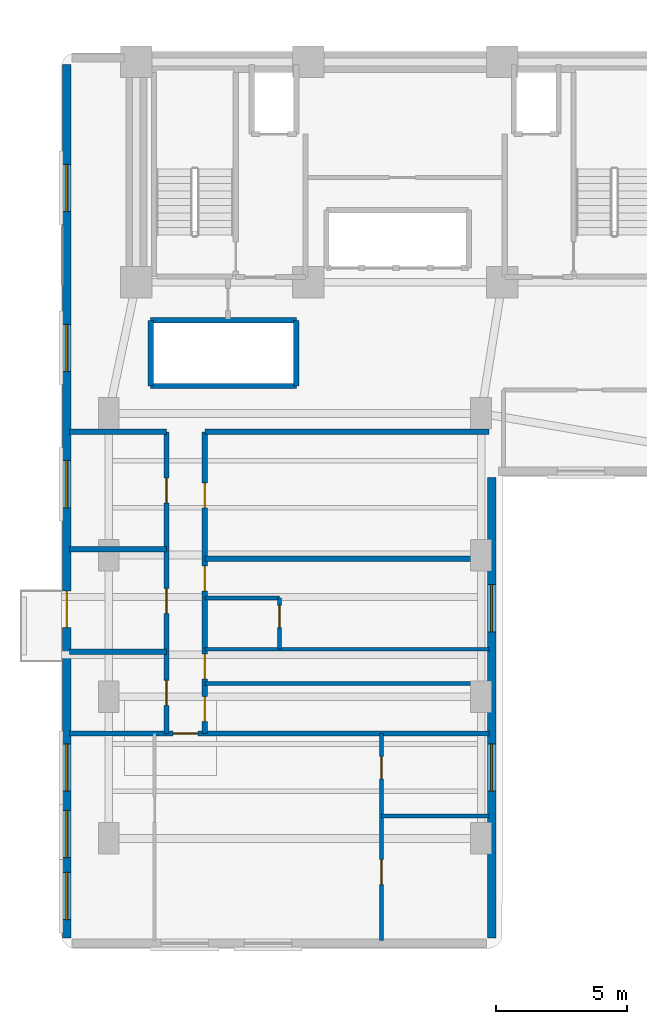
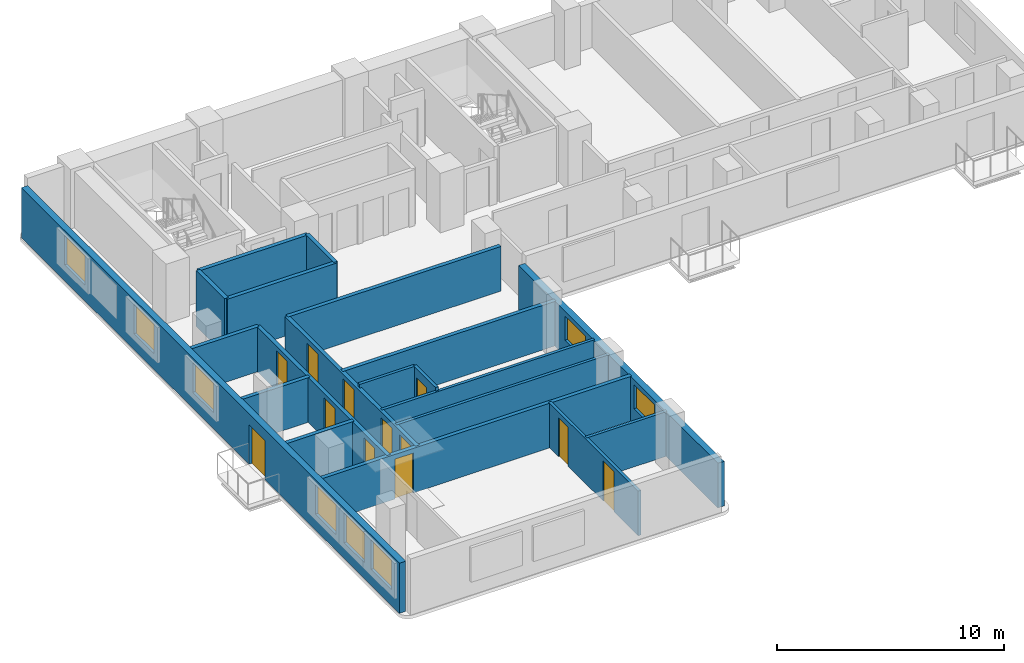
# One storey, part 3 of 11: 20 walls, 12 doors, 8 windows, 20 openings.
"""IFC4 building model written with IfcOpenShell, lengths in metres."""

from ifc_helpers import new_model, si_unit, direction, frame, frame_2d, origin, place, context, subcontext, project, spatial, rectangle, extrude, material, layer, layer_set, type_object, element, fill, save


model = new_model("IFC4")

# Units and contexts
model_context = context("Model", 3, precision=1e-05, world=origin(), true_north=direction((0.0, 1.0)))
body_context = subcontext(model_context, "Body", "Model", "MODEL_VIEW")
ifc_project = project(units=[si_unit("LENGTHUNIT", "METRE"), si_unit("AREAUNIT", "SQUARE_METRE"), si_unit("VOLUMEUNIT", "CUBIC_METRE"), si_unit("PLANEANGLEUNIT", "RADIAN"), si_unit("MASSUNIT", "GRAM", prefix="KILO")], contexts=[model_context])

# Site, building, storey
site_placement = place(None, origin())
site = spatial("IfcSite", under=ifc_project, at=site_placement, CompositionType="ELEMENT")
building_placement = place(site_placement, origin())
building = spatial("IfcBuilding", under=site, at=building_placement, Name="Kuzgunbayir Cultural Tower", CompositionType="ELEMENT")
storey_placement = place(building_placement, frame((0.0, 0.0, 86.60009765625)))
storey = spatial("IfcBuildingStorey", under=building, at=storey_placement, Name="L24", CompositionType="ELEMENT", Elevation=86.60009765625)

# Wall, openings, door, windows
ifc_material_1 = material(Name="Travertine Buff Ashlar", Category="masonry")
ifc_layer_1 = layer(ifc_material_1, 0.320068359375)
ifc_layer_set_1 = layer_set([ifc_layer_1], Name="Travertine Buff Ashlar")
wall_type_1 = type_object("IfcWallType", Name="WAL-EXT-STONE-320", PredefinedType="STANDARD", material=ifc_layer_set_1)
wall_1_placement = place(storey_placement, frame((3.800048828125, 42.10009765625, 0.0), z_axis=(0.0, 0.0, 1.0), x_axis=(0.0, -1.0, 0.0)))
wall_1 = element("IfcWall", 1, at=wall_1_placement, inside=storey, type_object=wall_type_1, Name="L24 Wing A West Limestone Wall", PredefinedType="STANDARD", context=body_context, shape_type="SweptSolid", body=[
    extrude(rectangle(XDim=33.300048828125, YDim=0.320068359375, at=frame_2d((16.64990234375, 0.0))), origin(), (0.0, 0.0, 1.0), 2.699951171875),
])
opening_1_placement = place(wall_1_placement, frame((20.070068359375, 0.0, 0.0)))
opening_1 = element("IfcOpeningElement", 2, at=opening_1_placement, cuts=wall_1, Name="Opening BD-15", PredefinedType="OPENING", context=body_context, shape_type="SweptSolid", body=[
    extrude(rectangle(XDim=1.39990234375, YDim=2.10009765625, at=frame_2d((0.699951171875, 1.050048828125))), frame((0.0, 0.169921875, 0.0), z_axis=(0.0, -1.0, 0.0), x_axis=(1.0, 0.0, 0.0)), (0.0, 0.0, 1.0), 0.340087890625),
])
opening_2_placement = place(wall_1_placement, frame((28.429931640625, 0.0, 0.85009765625)))
opening_2 = element("IfcOpeningElement", 3, at=opening_2_placement, cuts=wall_1, Name="Opening WH-18", PredefinedType="OPENING", context=body_context, shape_type="SweptSolid", body=[
    extrude(rectangle(XDim=1.800048828125, YDim=1.60009765625, at=frame_2d((0.89990234375, 0.800048828125))), frame((0.0, 0.169921875, 0.0), z_axis=(0.0, -1.0, 0.0), x_axis=(1.0, 0.0, 0.0)), (0.0, 0.0, 1.0), 0.340087890625),
])
opening_3_placement = place(wall_1_placement, frame((30.800048828125, 0.0, 0.85009765625)))
opening_3 = element("IfcOpeningElement", 4, at=opening_3_placement, cuts=wall_1, Name="Opening WH-18", PredefinedType="OPENING", context=body_context, shape_type="SweptSolid", body=[
    extrude(rectangle(XDim=1.800048828125, YDim=1.60009765625, at=frame_2d((0.89990234375, 0.800048828125))), frame((0.0, 0.169921875, 0.0), z_axis=(0.0, -1.0, 0.0), x_axis=(1.0, 0.0, 0.0)), (0.0, 0.0, 1.0), 0.340087890625),
])
opening_4_placement = place(wall_1_placement, frame((25.89990234375, 0.0, 0.85009765625)))
opening_4 = element("IfcOpeningElement", 5, at=opening_4_placement, cuts=wall_1, Name="Opening WH-18", PredefinedType="OPENING", context=body_context, shape_type="SweptSolid", body=[
    extrude(rectangle(XDim=1.800048828125, YDim=1.60009765625, at=frame_2d((0.89990234375, 0.800048828125))), frame((0.0, 0.169921875, 0.0), z_axis=(0.0, -1.0, 0.0), x_axis=(1.0, 0.0, 0.0)), (0.0, 0.0, 1.0), 0.340087890625),
])
opening_5_placement = place(wall_1_placement, frame((15.10009765625, 0.0, 0.85009765625)))
opening_5 = element("IfcOpeningElement", 6, at=opening_5_placement, cuts=wall_1, Name="Opening WH-18", PredefinedType="OPENING", context=body_context, shape_type="SweptSolid", body=[
    extrude(rectangle(XDim=1.800048828125, YDim=1.60009765625, at=frame_2d((0.89990234375, 0.800048828125))), frame((0.0, 0.169921875, 0.0), z_axis=(0.0, -1.0, 0.0), x_axis=(1.0, 0.0, 0.0)), (0.0, 0.0, 1.0), 0.340087890625),
])
opening_6_placement = place(wall_1_placement, frame((9.89990234375, 0.0, 0.85009765625)))
opening_6 = element("IfcOpeningElement", 7, at=opening_6_placement, cuts=wall_1, Name="Opening WH-18", PredefinedType="OPENING", context=body_context, shape_type="SweptSolid", body=[
    extrude(rectangle(XDim=1.800048828125, YDim=1.60009765625, at=frame_2d((0.89990234375, 0.800048828125))), frame((0.0, 0.169921875, 0.0), z_axis=(0.0, -1.0, 0.0), x_axis=(1.0, 0.0, 0.0)), (0.0, 0.0, 1.0), 0.340087890625),
])
opening_7_placement = place(wall_1_placement, frame((3.800048828125, 0.0, 0.85009765625)))
opening_7 = element("IfcOpeningElement", 8, at=opening_7_placement, cuts=wall_1, Name="Opening WH-18", PredefinedType="OPENING", context=body_context, shape_type="SweptSolid", body=[
    extrude(rectangle(XDim=1.800048828125, YDim=1.60009765625, at=frame_2d((0.89990234375, 0.800048828125))), frame((0.0, 0.169921875, 0.0), z_axis=(0.0, -1.0, 0.0), x_axis=(1.0, 0.0, 0.0)), (0.0, 0.0, 1.0), 0.340087890625),
])
ifc_material_2 = material(Name="Thermally Broken Glazed Aluminium", Category="aluminium")
door_type_1 = type_object("IfcDoorType", Name="DR-BALCONY-150", OperationType="SLIDING_TO_RIGHT", PredefinedType="DOOR", material=ifc_material_2)
door_1_placement = place(opening_1_placement, origin())
door_1 = element("IfcDoor", 9, at=door_1_placement, inside=storey, type_object=door_type_1, Name="L24 West Balcony Sliding Door BAL-L24-WA2", OperationType="SLIDING_TO_RIGHT", OverallHeight=2.10009765625, OverallWidth=1.39990234375, PredefinedType="DOOR", context=body_context, shape_type="SweptSolid", body=[
    extrude(rectangle(XDim=1.39990234375, YDim=2.10009765625, at=frame_2d((0.699951171875, 1.050048828125))), frame((0.0, 0.02490234375, 0.0), z_axis=(0.0, -1.0, 0.0), x_axis=(1.0, 0.0, 0.0)), (0.0, 0.0, 1.0), 0.050048828125),
])
fill(opening_1, door_1)
ifc_material_3 = material(Name="Solar-Control Triple Glazing", Category="glass")
window_type = type_object("IfcWindowType", Name="WIN-HOTEL-18", PartitioningType="SINGLE_PANEL", PredefinedType="WINDOW", material=ifc_material_3)
window_1_placement = place(opening_2_placement, origin())
window_1 = element("IfcWindow", 10, at=window_1_placement, inside=storey, type_object=window_type, Name="L24 WAW Facade Window 1", OverallHeight=1.60009765625, OverallWidth=1.800048828125, PartitioningType="SINGLE_PANEL", PredefinedType="WINDOW", context=body_context, shape_type="SweptSolid", body=[
    extrude(rectangle(XDim=1.800048828125, YDim=1.60009765625, at=frame_2d((0.89990234375, 0.800048828125))), frame((0.0, 0.030029296875, 0.0), z_axis=(0.0, -1.0, 0.0), x_axis=(1.0, 0.0, 0.0)), (0.0, 0.0, 1.0), 0.06005859375),
])
fill(opening_2, window_1)
window_2_placement = place(opening_3_placement, origin())
window_2 = element("IfcWindow", 11, at=window_2_placement, inside=storey, type_object=window_type, Name="L24 WAW Facade Window 6", OverallHeight=1.60009765625, OverallWidth=1.800048828125, PartitioningType="SINGLE_PANEL", PredefinedType="WINDOW", context=body_context, shape_type="SweptSolid", body=[
    extrude(rectangle(XDim=1.800048828125, YDim=1.60009765625, at=frame_2d((0.89990234375, 0.800048828125))), frame((0.0, 0.030029296875, 0.0), z_axis=(0.0, -1.0, 0.0), x_axis=(1.0, 0.0, 0.0)), (0.0, 0.0, 1.0), 0.06005859375),
])
fill(opening_3, window_2)
window_3_placement = place(opening_4_placement, origin())
window_3 = element("IfcWindow", 12, at=window_3_placement, inside=storey, type_object=window_type, Name="L24 WAW Facade Window 7", OverallHeight=1.60009765625, OverallWidth=1.800048828125, PartitioningType="SINGLE_PANEL", PredefinedType="WINDOW", context=body_context, shape_type="SweptSolid", body=[
    extrude(rectangle(XDim=1.800048828125, YDim=1.60009765625, at=frame_2d((0.89990234375, 0.800048828125))), frame((0.0, 0.030029296875, 0.0), z_axis=(0.0, -1.0, 0.0), x_axis=(1.0, 0.0, 0.0)), (0.0, 0.0, 1.0), 0.06005859375),
])
fill(opening_4, window_3)
window_4_placement = place(opening_5_placement, origin())
window_4 = element("IfcWindow", 13, at=window_4_placement, inside=storey, type_object=window_type, Name="L24 WAW Facade Window 8", OverallHeight=1.60009765625, OverallWidth=1.800048828125, PartitioningType="SINGLE_PANEL", PredefinedType="WINDOW", context=body_context, shape_type="SweptSolid", body=[
    extrude(rectangle(XDim=1.800048828125, YDim=1.60009765625, at=frame_2d((0.89990234375, 0.800048828125))), frame((0.0, 0.030029296875, 0.0), z_axis=(0.0, -1.0, 0.0), x_axis=(1.0, 0.0, 0.0)), (0.0, 0.0, 1.0), 0.06005859375),
])
fill(opening_5, window_4)
window_5_placement = place(opening_6_placement, origin())
window_5 = element("IfcWindow", 14, at=window_5_placement, inside=storey, type_object=window_type, Name="L24 WAW Facade Window 9", OverallHeight=1.60009765625, OverallWidth=1.800048828125, PartitioningType="SINGLE_PANEL", PredefinedType="WINDOW", context=body_context, shape_type="SweptSolid", body=[
    extrude(rectangle(XDim=1.800048828125, YDim=1.60009765625, at=frame_2d((0.89990234375, 0.800048828125))), frame((0.0, 0.030029296875, 0.0), z_axis=(0.0, -1.0, 0.0), x_axis=(1.0, 0.0, 0.0)), (0.0, 0.0, 1.0), 0.06005859375),
])
fill(opening_6, window_5)
window_6_placement = place(opening_7_placement, origin())
window_6 = element("IfcWindow", 15, at=window_6_placement, inside=storey, type_object=window_type, Name="L24 WAW Facade Window 10", OverallHeight=1.60009765625, OverallWidth=1.800048828125, PartitioningType="SINGLE_PANEL", PredefinedType="WINDOW", context=body_context, shape_type="SweptSolid", body=[
    extrude(rectangle(XDim=1.800048828125, YDim=1.60009765625, at=frame_2d((0.89990234375, 0.800048828125))), frame((0.0, 0.030029296875, 0.0), z_axis=(0.0, -1.0, 0.0), x_axis=(1.0, 0.0, 0.0)), (0.0, 0.0, 1.0), 0.06005859375),
])
fill(opening_7, window_6)

# Wall, openings, windows
wall_2_placement = place(storey_placement, frame((20.0, 8.800048828125, 0.0), z_axis=(0.0, 0.0, 1.0), x_axis=(0.0, 1.0, 0.0)))
wall_2 = element("IfcWall", 16, at=wall_2_placement, inside=storey, type_object=wall_type_1, Name="L24 Wing A East Limestone Wall", PredefinedType="STANDARD", context=body_context, shape_type="SweptSolid", body=[
    extrude(rectangle(XDim=17.550048828125, YDim=0.320068359375, at=frame_2d((8.77490234375, 0.0))), origin(), (0.0, 0.0, 1.0), 2.39990234375),
])
opening_8_placement = place(wall_2_placement, frame((11.669921875, 0.0, 0.85009765625)))
opening_8 = element("IfcOpeningElement", 17, at=opening_8_placement, cuts=wall_2, Name="Opening WH-18", PredefinedType="OPENING", context=body_context, shape_type="SweptSolid", body=[
    extrude(rectangle(XDim=1.800048828125, YDim=1.300048828125, at=frame_2d((0.89990234375, 0.64990234375))), frame((0.0, 0.169921875, 0.0), z_axis=(0.0, -1.0, 0.0), x_axis=(1.0, 0.0, 0.0)), (0.0, 0.0, 1.0), 0.340087890625),
])
opening_9_placement = place(wall_2_placement, frame((5.60009765625, 0.0, 0.85009765625)))
opening_9 = element("IfcOpeningElement", 18, at=opening_9_placement, cuts=wall_2, Name="Opening WH-18", PredefinedType="OPENING", context=body_context, shape_type="SweptSolid", body=[
    extrude(rectangle(XDim=1.800048828125, YDim=1.300048828125, at=frame_2d((0.89990234375, 0.64990234375))), frame((0.0, 0.169921875, 0.0), z_axis=(0.0, -1.0, 0.0), x_axis=(1.0, 0.0, 0.0)), (0.0, 0.0, 1.0), 0.340087890625),
])
window_7_placement = place(opening_8_placement, origin())
window_7 = element("IfcWindow", 19, at=window_7_placement, inside=storey, type_object=window_type, Name="L24 WAE Facade Window 3", OverallHeight=1.300048828125, OverallWidth=1.800048828125, PartitioningType="SINGLE_PANEL", PredefinedType="WINDOW", context=body_context, shape_type="SweptSolid", body=[
    extrude(rectangle(XDim=1.800048828125, YDim=1.300048828125, at=frame_2d((0.89990234375, 0.64990234375))), frame((0.0, 0.030029296875, 0.0), z_axis=(0.0, -1.0, 0.0), x_axis=(1.0, 0.0, 0.0)), (0.0, 0.0, 1.0), 0.06005859375),
])
fill(opening_8, window_7)
window_8_placement = place(opening_9_placement, origin())
window_8 = element("IfcWindow", 20, at=window_8_placement, inside=storey, type_object=window_type, Name="L24 WAE Facade Window 11", OverallHeight=1.300048828125, OverallWidth=1.800048828125, PartitioningType="SINGLE_PANEL", PredefinedType="WINDOW", context=body_context, shape_type="SweptSolid", body=[
    extrude(rectangle(XDim=1.800048828125, YDim=1.300048828125, at=frame_2d((0.89990234375, 0.64990234375))), frame((0.0, 0.030029296875, 0.0), z_axis=(0.0, -1.0, 0.0), x_axis=(1.0, 0.0, 0.0)), (0.0, 0.0, 1.0), 0.06005859375),
])
fill(opening_9, window_8)

# Wall
ifc_material_4 = material(Name="Acoustic Double-Stud Drywall", Category="gypsum")
ifc_layer_2 = layer(ifc_material_4, 0.14990234375)
ifc_layer_set_2 = layer_set([ifc_layer_2], Name="Acoustic Double-Stud Drywall")
wall_type_2 = type_object("IfcWallType", Name="WAL-PART-ACOUSTIC-150", PredefinedType="PARTITIONING", material=ifc_layer_set_2)
wall_3_placement = place(storey_placement, frame((9.06005859375, 18.5, 0.0), z_axis=(0.0, 0.0, 1.0), x_axis=(1.0, 0.0, 0.0)))
element("IfcWall", 21, at=wall_3_placement, inside=storey, type_object=wall_type_2, Name="L24 Housekeeping North Wall", PredefinedType="PARTITIONING", context=body_context, shape_type="SweptSolid", body=[
    extrude(rectangle(XDim=10.83984375, YDim=0.14990234375, at=frame_2d((5.419921875, 0.0))), origin(), (0.0, 0.0, 1.0), 2.39990234375),
])

# Wall, openings, doors
ifc_material_5 = material(Name="Aerated Concrete Blockwork", Category="masonry")
ifc_layer_3 = layer(ifc_material_5, 0.199951171875)
ifc_layer_set_3 = layer_set([ifc_layer_3], Name="Aerated Concrete Blockwork")
wall_type_3 = type_object("IfcWallType", Name="WAL-PART-FIRE-200", PredefinedType="PARTITIONING", material=ifc_layer_set_3)
wall_4_placement = place(storey_placement, frame((7.60009765625, 16.60009765625, 0.0), z_axis=(0.0, 0.0, 1.0), x_axis=(0.0, 1.0, 0.0)))
wall_4 = element("IfcWall", 22, at=wall_4_placement, inside=storey, type_object=wall_type_3, Name="L24 Wing A West Corridor Wall", PredefinedType="PARTITIONING", context=body_context, shape_type="SweptSolid", body=[
    extrude(rectangle(XDim=11.5, YDim=0.199951171875, at=frame_2d((5.75, 0.0))), origin(), (0.0, 0.0, 1.0), 2.39990234375),
])
opening_10_placement = place(wall_4_placement, frame((1.070068359375, 0.0, 0.0)))
opening_10 = element("IfcOpeningElement", 23, at=opening_10_placement, cuts=wall_4, Name="Opening DI-90", PredefinedType="OPENING", context=body_context, shape_type="SweptSolid", body=[
    extrude(rectangle(XDim=0.949951171875, YDim=2.14990234375, at=frame_2d((0.47509765625, 1.074951171875))), frame((0.0, 0.10986328125, 0.0), z_axis=(0.0, -1.0, 0.0), x_axis=(1.0, 0.0, 0.0)), (0.0, 0.0, 1.0), 0.219970703125),
])
opening_11_placement = place(wall_4_placement, frame((4.580078125, 0.0, 0.0)))
opening_11 = element("IfcOpeningElement", 24, at=opening_11_placement, cuts=wall_4, Name="Opening DI-90", PredefinedType="OPENING", context=body_context, shape_type="SweptSolid", body=[
    extrude(rectangle(XDim=0.949951171875, YDim=2.14990234375, at=frame_2d((0.47509765625, 1.074951171875))), frame((0.0, 0.10986328125, 0.0), z_axis=(0.0, -1.0, 0.0), x_axis=(1.0, 0.0, 0.0)), (0.0, 0.0, 1.0), 0.219970703125),
])
opening_12_placement = place(wall_4_placement, frame((8.780029296875, 0.0, 0.0)))
opening_12 = element("IfcOpeningElement", 25, at=opening_12_placement, cuts=wall_4, Name="Opening DI-90", PredefinedType="OPENING", context=body_context, shape_type="SweptSolid", body=[
    extrude(rectangle(XDim=0.949951171875, YDim=2.14990234375, at=frame_2d((0.47509765625, 1.074951171875))), frame((0.0, 0.10986328125, 0.0), z_axis=(0.0, -1.0, 0.0), x_axis=(1.0, 0.0, 0.0)), (0.0, 0.0, 1.0), 0.219970703125),
])
ifc_material_6 = material(Name="Veneered Oak Single Leaf", Category="wood")
door_type_2 = type_object("IfcDoorType", Name="DR-INT-90", OperationType="NOTDEFINED", PredefinedType="DOOR", material=ifc_material_6)
door_2_placement = place(opening_10_placement, origin())
door_2 = element("IfcDoor", 26, at=door_2_placement, inside=storey, type_object=door_type_2, Name="L24 Curatorial Office 1 Door", OperationType="SINGLE_SWING_RIGHT", OverallHeight=2.14990234375, OverallWidth=0.949951171875, PredefinedType="DOOR", context=body_context, shape_type="SweptSolid", body=[
    extrude(rectangle(XDim=0.949951171875, YDim=2.14990234375, at=frame_2d((0.47509765625, 1.074951171875))), frame((0.0, 0.02490234375, 0.0), z_axis=(0.0, -1.0, 0.0), x_axis=(1.0, 0.0, 0.0)), (0.0, 0.0, 1.0), 0.050048828125),
])
fill(opening_10, door_2)
door_3_placement = place(opening_11_placement, origin())
door_3 = element("IfcDoor", 27, at=door_3_placement, inside=storey, type_object=door_type_2, Name="L24 Curatorial Office 2 Door", OperationType="SINGLE_SWING_LEFT", OverallHeight=2.14990234375, OverallWidth=0.949951171875, PredefinedType="DOOR", context=body_context, shape_type="SweptSolid", body=[
    extrude(rectangle(XDim=0.949951171875, YDim=2.14990234375, at=frame_2d((0.47509765625, 1.074951171875))), frame((0.0, 0.02490234375, 0.0), z_axis=(0.0, -1.0, 0.0), x_axis=(1.0, 0.0, 0.0)), (0.0, 0.0, 1.0), 0.050048828125),
])
fill(opening_11, door_3)
door_4_placement = place(opening_12_placement, origin())
door_4 = element("IfcDoor", 28, at=door_4_placement, inside=storey, type_object=door_type_2, Name="L24 Curatorial Office 3 Door", OperationType="SINGLE_SWING_RIGHT", OverallHeight=2.14990234375, OverallWidth=0.949951171875, PredefinedType="DOOR", context=body_context, shape_type="SweptSolid", body=[
    extrude(rectangle(XDim=0.949951171875, YDim=2.14990234375, at=frame_2d((0.47509765625, 1.074951171875))), frame((0.0, 0.02490234375, 0.0), z_axis=(0.0, -1.0, 0.0), x_axis=(1.0, 0.0, 0.0)), (0.0, 0.0, 1.0), 0.050048828125),
])
fill(opening_12, door_4)

wall_5_placement = place(storey_placement, frame((9.06005859375, 16.60009765625, 0.0), z_axis=(0.0, 0.0, 1.0), x_axis=(0.0, 1.0, 0.0)))
wall_5 = element("IfcWall", 29, at=wall_5_placement, inside=storey, type_object=wall_type_3, Name="L24 Wing A East Corridor Wall", PredefinedType="PARTITIONING", context=body_context, shape_type="SweptSolid", body=[
    extrude(rectangle(XDim=11.5, YDim=0.199951171875, at=frame_2d((5.75, 0.0))), origin(), (0.0, 0.0, 1.0), 2.39990234375),
])
opening_13_placement = place(wall_5_placement, frame((0.449951171875, 0.0, 0.0)))
opening_13 = element("IfcOpeningElement", 30, at=opening_13_placement, cuts=wall_5, Name="Opening DI-90", PredefinedType="OPENING", context=body_context, shape_type="SweptSolid", body=[
    extrude(rectangle(XDim=0.949951171875, YDim=2.14990234375, at=frame_2d((0.47509765625, 1.074951171875))), frame((0.0, 0.10986328125, 0.0), z_axis=(0.0, -1.0, 0.0), x_axis=(1.0, 0.0, 0.0)), (0.0, 0.0, 1.0), 0.219970703125),
])
opening_14_placement = place(wall_5_placement, frame((2.080078125, 0.0, 0.0)))
opening_14 = element("IfcOpeningElement", 31, at=opening_14_placement, cuts=wall_5, Name="Opening DW-95", PredefinedType="OPENING", context=body_context, shape_type="SweptSolid", body=[
    extrude(rectangle(XDim=0.949951171875, YDim=2.10009765625, at=frame_2d((0.47509765625, 1.050048828125))), frame((0.0, 0.10986328125, 0.0), z_axis=(0.0, -1.0, 0.0), x_axis=(1.0, 0.0, 0.0)), (0.0, 0.0, 1.0), 0.219970703125),
])
opening_15_placement = place(wall_5_placement, frame((8.60009765625, 0.0, 0.0)))
opening_15 = element("IfcOpeningElement", 32, at=opening_15_placement, cuts=wall_5, Name="Opening DI-90", PredefinedType="OPENING", context=body_context, shape_type="SweptSolid", body=[
    extrude(rectangle(XDim=0.949951171875, YDim=2.14990234375, at=frame_2d((0.47509765625, 1.074951171875))), frame((0.0, 0.10986328125, 0.0), z_axis=(0.0, -1.0, 0.0), x_axis=(1.0, 0.0, 0.0)), (0.0, 0.0, 1.0), 0.219970703125),
])
opening_16_placement = place(wall_5_placement, frame((5.429931640625, 0.0, 0.0)))
opening_16 = element("IfcOpeningElement", 33, at=opening_16_placement, cuts=wall_5, Name="Opening DR-APT-60", PredefinedType="OPENING", context=body_context, shape_type="SweptSolid", body=[
    extrude(rectangle(XDim=0.949951171875, YDim=2.14990234375, at=frame_2d((0.47509765625, 1.074951171875))), frame((0.0, 0.10986328125, 0.0), z_axis=(0.0, -1.0, 0.0), x_axis=(1.0, 0.0, 0.0)), (0.0, 0.0, 1.0), 0.219970703125),
])
ifc_material_7 = material(Name="Acoustic Fire Timber Leaf", Category="wood")
door_type_3 = type_object("IfcDoorType", Name="DR-APT-60", OperationType="NOTDEFINED", PredefinedType="DOOR", material=ifc_material_7)
door_5_placement = place(opening_16_placement, origin())
door_5 = element("IfcDoor", 34, at=door_5_placement, inside=storey, type_object=door_type_3, Name="L24 Guest Suite E1 Entrance", OperationType="SINGLE_SWING_LEFT", OverallHeight=2.14990234375, OverallWidth=0.949951171875, PredefinedType="DOOR", context=body_context, shape_type="SweptSolid", body=[
    extrude(rectangle(XDim=0.949951171875, YDim=2.14990234375, at=frame_2d((0.47509765625, 1.074951171875))), frame((0.0, 0.02490234375, 0.0), z_axis=(0.0, -1.0, 0.0), x_axis=(1.0, 0.0, 0.0)), (0.0, 0.0, 1.0), 0.050048828125),
])
fill(opening_16, door_5)
door_6_placement = place(opening_13_placement, origin())
door_6 = element("IfcDoor", 35, at=door_6_placement, inside=storey, type_object=door_type_2, Name="L24 Housekeeping Room Door", OperationType="SINGLE_SWING_LEFT", OverallHeight=2.14990234375, OverallWidth=0.949951171875, PredefinedType="DOOR", context=body_context, shape_type="SweptSolid", body=[
    extrude(rectangle(XDim=0.949951171875, YDim=2.14990234375, at=frame_2d((0.47509765625, 1.074951171875))), frame((0.0, 0.02490234375, 0.0), z_axis=(0.0, -1.0, 0.0), x_axis=(1.0, 0.0, 0.0)), (0.0, 0.0, 1.0), 0.050048828125),
])
fill(opening_13, door_6)
door_7_placement = place(opening_15_placement, origin())
door_7 = element("IfcDoor", 36, at=door_7_placement, inside=storey, type_object=door_type_2, Name="L24 Curatorial Office E1 Door", OperationType="SINGLE_SWING_LEFT", OverallHeight=2.14990234375, OverallWidth=0.949951171875, PredefinedType="DOOR", context=body_context, shape_type="SweptSolid", body=[
    extrude(rectangle(XDim=0.949951171875, YDim=2.14990234375, at=frame_2d((0.47509765625, 1.074951171875))), frame((0.0, 0.02490234375, 0.0), z_axis=(0.0, -1.0, 0.0), x_axis=(1.0, 0.0, 0.0)), (0.0, 0.0, 1.0), 0.050048828125),
])
fill(opening_15, door_7)
ifc_material_8 = material(Name="Laminate Moisture-Resistant Leaf", Category="wood")
door_type_4 = type_object("IfcDoorType", Name="DR-WET-95", OperationType="NOTDEFINED", PredefinedType="DOOR", material=ifc_material_8)
door_8_placement = place(opening_14_placement, origin())
door_8 = element("IfcDoor", 37, at=door_8_placement, inside=storey, type_object=door_type_4, Name="L24 Accessible WC Door", OperationType="SINGLE_SWING_RIGHT", OverallHeight=2.10009765625, OverallWidth=0.949951171875, PredefinedType="DOOR", context=body_context, shape_type="SweptSolid", body=[
    extrude(rectangle(XDim=0.949951171875, YDim=2.10009765625, at=frame_2d((0.47509765625, 1.050048828125))), frame((0.0, 0.02490234375, 0.0), z_axis=(0.0, -1.0, 0.0), x_axis=(1.0, 0.0, 0.0)), (0.0, 0.0, 1.0), 0.050048828125),
])
fill(opening_14, door_8)

# Wall, opening, door
wall_6_placement = place(storey_placement, frame((3.89990234375, 16.60009765625, 0.0), z_axis=(0.0, 0.0, 1.0), x_axis=(1.0, 0.0, 0.0)))
wall_6 = element("IfcWall", 38, at=wall_6_placement, inside=storey, type_object=wall_type_3, Name="L24 South Cross Partition", PredefinedType="PARTITIONING", context=body_context, shape_type="SweptSolid", body=[
    extrude(rectangle(XDim=16.0, YDim=0.199951171875, at=frame_2d((8.0, 0.0))), origin(), (0.0, 0.0, 1.0), 2.39990234375),
])
opening_17_placement = place(wall_6_placement, frame((3.949951171875, 0.0, 0.0)))
opening_17 = element("IfcOpeningElement", 39, at=opening_17_placement, cuts=wall_6, Name="Opening DR-APT-60", PredefinedType="OPENING", context=body_context, shape_type="SweptSolid", body=[
    extrude(rectangle(XDim=0.949951171875, YDim=2.14990234375, at=frame_2d((0.47509765625, 1.074951171875))), frame((0.0, 0.10986328125, 0.0), z_axis=(0.0, -1.0, 0.0), x_axis=(1.0, 0.0, 0.0)), (0.0, 0.0, 1.0), 0.219970703125),
])
door_9_placement = place(opening_17_placement, origin())
door_9 = element("IfcDoor", 40, at=door_9_placement, inside=storey, type_object=door_type_3, Name="L24 Diplomatic Suite Entrance", OperationType="SINGLE_SWING_LEFT", OverallHeight=2.14990234375, OverallWidth=0.949951171875, PredefinedType="DOOR", context=body_context, shape_type="SweptSolid", body=[
    extrude(rectangle(XDim=0.949951171875, YDim=2.14990234375, at=frame_2d((0.47509765625, 1.074951171875))), frame((0.0, 0.02490234375, 0.0), z_axis=(0.0, -1.0, 0.0), x_axis=(1.0, 0.0, 0.0)), (0.0, 0.0, 1.0), 0.050048828125),
])
fill(opening_17, door_9)

# Walls
wall_7_placement = place(storey_placement, frame((3.89990234375, 28.10009765625, 0.0), z_axis=(0.0, 0.0, 1.0), x_axis=(1.0, 0.0, 0.0)))
element("IfcWall", 41, at=wall_7_placement, inside=storey, type_object=wall_type_3, Name="L24 North West Partition", PredefinedType="PARTITIONING", context=body_context, shape_type="SweptSolid", body=[
    extrude(rectangle(XDim=3.7001953125, YDim=0.199951171875, at=frame_2d((1.85009765625, 0.0))), origin(), (0.0, 0.0, 1.0), 2.39990234375),
])
wall_8_placement = place(storey_placement, frame((9.06005859375, 28.10009765625, 0.0), z_axis=(0.0, 0.0, 1.0), x_axis=(1.0, 0.0, 0.0)))
element("IfcWall", 42, at=wall_8_placement, inside=storey, type_object=wall_type_3, Name="L24 North East Partition", PredefinedType="PARTITIONING", context=body_context, shape_type="SweptSolid", body=[
    extrude(rectangle(XDim=10.83984375, YDim=0.199951171875, at=frame_2d((5.419921875, 0.0))), origin(), (0.0, 0.0, 1.0), 2.39990234375),
])
for number, where, z_axis, x_axis, name in (
    (43, (3.89990234375, 19.7099609375, 0.0), (0.0, 0.0, 1.0), (1.0, 0.0, 0.0), "L24 West Party Wall 1"),
    (44, (3.89990234375, 23.6201171875, 0.0), (0.0, 0.0, 1.0), (1.0, 0.0, 0.0), "L24 West Party Wall 2"),
):
    element("IfcWall", number, at=place(storey_placement, frame(where, z_axis=z_axis, x_axis=x_axis)), inside=storey, type_object=wall_type_3, Name=name, PredefinedType="PARTITIONING", context=body_context, shape_type="SweptSolid", body=[
        extrude(rectangle(XDim=3.7001953125, YDim=0.199951171875, at=frame_2d((1.85009765625, 0.0))), origin(), (0.0, 0.0, 1.0), 2.39990234375),
    ])
wall_9_placement = place(storey_placement, frame((9.06005859375, 23.260009765625, 0.0), z_axis=(0.0, 0.0, 1.0), x_axis=(1.0, 0.0, 0.0)))
element("IfcWall", 45, at=wall_9_placement, inside=storey, type_object=wall_type_3, Name="L24 Suite E1 Sub-Party Wall", PredefinedType="PARTITIONING", context=body_context, shape_type="SweptSolid", body=[
    extrude(rectangle(XDim=10.83984375, YDim=0.199951171875, at=frame_2d((5.419921875, 0.0))), origin(), (0.0, 0.0, 1.0), 2.39990234375),
])

# Wall, openings, doors
ifc_material_9 = material(Name="Moisture-Resistant Tile Partition", Category="gypsum")
ifc_layer_4 = layer(ifc_material_9, 0.14990234375)
ifc_layer_set_4 = layer_set([ifc_layer_4], Name="Moisture-Resistant Tile Partition")
wall_type_4 = type_object("IfcWallType", Name="WAL-PART-WET-150", PredefinedType="PARTITIONING", material=ifc_layer_set_4)
wall_10_placement = place(storey_placement, frame((15.800048828125, 8.699951171875, 0.0), z_axis=(0.0, 0.0, 1.0), x_axis=(0.0, 1.0, 0.0)))
wall_10 = element("IfcWall", 46, at=wall_10_placement, inside=storey, type_object=wall_type_4, Name="L24 Diplomatic Suite Service Wall", PredefinedType="PARTITIONING", context=body_context, shape_type="SweptSolid", body=[
    extrude(rectangle(XDim=7.900146484375, YDim=0.14990234375, at=frame_2d((3.9501953125, 0.0))), origin(), (0.0, 0.0, 1.0), 2.39990234375),
])
opening_18_placement = place(wall_10_placement, frame((2.139892578125, 0.0, 0.0)))
opening_18 = element("IfcOpeningElement", 47, at=opening_18_placement, cuts=wall_10, Name="Opening DI-90", PredefinedType="OPENING", context=body_context, shape_type="SweptSolid", body=[
    extrude(rectangle(XDim=0.949951171875, YDim=2.14990234375, at=frame_2d((0.47509765625, 1.074951171875))), frame((0.0, 0.0849609375, 0.0), z_axis=(0.0, -1.0, 0.0), x_axis=(1.0, 0.0, 0.0)), (0.0, 0.0, 1.0), 0.169921875),
])
opening_19_placement = place(wall_10_placement, frame((6.169921875, 0.0, 0.0)))
opening_19 = element("IfcOpeningElement", 48, at=opening_19_placement, cuts=wall_10, Name="Opening DW-85", PredefinedType="OPENING", context=body_context, shape_type="SweptSolid", body=[
    extrude(rectangle(XDim=0.85009765625, YDim=2.10009765625, at=frame_2d((0.425048828125, 1.050048828125))), frame((0.0, 0.0849609375, 0.0), z_axis=(0.0, -1.0, 0.0), x_axis=(1.0, 0.0, 0.0)), (0.0, 0.0, 1.0), 0.169921875),
])
door_10_placement = place(opening_18_placement, origin())
door_10 = element("IfcDoor", 49, at=door_10_placement, inside=storey, type_object=door_type_2, Name="L24 Diplomatic Kitchen Door", OperationType="SINGLE_SWING_LEFT", OverallHeight=2.14990234375, OverallWidth=0.949951171875, PredefinedType="DOOR", context=body_context, shape_type="SweptSolid", body=[
    extrude(rectangle(XDim=0.949951171875, YDim=2.14990234375, at=frame_2d((0.47509765625, 1.074951171875))), frame((0.0, 0.02490234375, 0.0), z_axis=(0.0, -1.0, 0.0), x_axis=(1.0, 0.0, 0.0)), (0.0, 0.0, 1.0), 0.050048828125),
])
fill(opening_18, door_10)
door_type_5 = type_object("IfcDoorType", Name="DR-WET-85", OperationType="NOTDEFINED", PredefinedType="DOOR", material=ifc_material_8)
door_11_placement = place(opening_19_placement, origin())
door_11 = element("IfcDoor", 50, at=door_11_placement, inside=storey, type_object=door_type_5, Name="L24 Diplomatic Bathroom Door", OperationType="SINGLE_SWING_RIGHT", OverallHeight=2.10009765625, OverallWidth=0.85009765625, PredefinedType="DOOR", context=body_context, shape_type="SweptSolid", body=[
    extrude(rectangle(XDim=0.85009765625, YDim=2.10009765625, at=frame_2d((0.425048828125, 1.050048828125))), frame((0.0, 0.02490234375, 0.0), z_axis=(0.0, -1.0, 0.0), x_axis=(1.0, 0.0, 0.0)), (0.0, 0.0, 1.0), 0.050048828125),
])
fill(opening_19, door_11)

# Walls
wall_11_placement = place(storey_placement, frame((15.800048828125, 13.449951171875, 0.0), z_axis=(0.0, 0.0, 1.0), x_axis=(1.0, 0.0, 0.0)))
element("IfcWall", 51, at=wall_11_placement, inside=storey, type_object=wall_type_4, Name="L24 Diplomatic Suite Bath Kitchen Divider", PredefinedType="PARTITIONING", context=body_context, shape_type="SweptSolid", body=[
    extrude(rectangle(XDim=4.099853515625, YDim=0.14990234375, at=frame_2d((2.0498046875, 0.0))), origin(), (0.0, 0.0, 1.0), 2.39990234375),
])
wall_12_placement = place(storey_placement, frame((9.06005859375, 19.81005859375, 0.0), z_axis=(0.0, 0.0, 1.0), x_axis=(1.0, 0.0, 0.0)))
element("IfcWall", 52, at=wall_12_placement, inside=storey, type_object=wall_type_4, Name="L24 Accessible WC North Wall", PredefinedType="PARTITIONING", context=body_context, shape_type="SweptSolid", body=[
    extrude(rectangle(XDim=10.83984375, YDim=0.14990234375, at=frame_2d((5.419921875, 0.0))), origin(), (0.0, 0.0, 1.0), 2.39990234375),
])
wall_13_placement = place(storey_placement, frame((9.06005859375, 21.760009765625, 0.0), z_axis=(0.0, 0.0, 1.0), x_axis=(1.0, 0.0, 0.0)))
element("IfcWall", 53, at=wall_13_placement, inside=storey, type_object=wall_type_4, Name="L24 Suite E1 En-Suite North Wall", PredefinedType="PARTITIONING", context=body_context, shape_type="SweptSolid", body=[
    extrude(rectangle(XDim=2.849853515625, YDim=0.14990234375, at=frame_2d((1.4248046875, 0.0))), origin(), (0.0, 0.0, 1.0), 2.599853515625),
])

# Wall, opening, door
wall_14_placement = place(storey_placement, frame((11.909912109375, 19.81005859375, 0.0), z_axis=(0.0, 0.0, 1.0), x_axis=(0.0, 1.0, 0.0)))
wall_14 = element("IfcWall", 54, at=wall_14_placement, inside=storey, type_object=wall_type_4, Name="L24 Suite E1 En-Suite East Wall", PredefinedType="PARTITIONING", context=body_context, shape_type="SweptSolid", body=[
    extrude(rectangle(XDim=1.949951171875, YDim=0.14990234375, at=frame_2d((0.97509765625, 0.0))), origin(), (0.0, 0.0, 1.0), 2.599853515625),
])
opening_20_placement = place(wall_14_placement, frame((0.820068359375, 0.0, 0.0)))
opening_20 = element("IfcOpeningElement", 55, at=opening_20_placement, cuts=wall_14, Name="Opening DW-85", PredefinedType="OPENING", context=body_context, shape_type="SweptSolid", body=[
    extrude(rectangle(XDim=0.85009765625, YDim=2.10009765625, at=frame_2d((0.425048828125, 1.050048828125))), frame((0.0, 0.0849609375, 0.0), z_axis=(0.0, -1.0, 0.0), x_axis=(1.0, 0.0, 0.0)), (0.0, 0.0, 1.0), 0.169921875),
])
door_12_placement = place(opening_20_placement, origin())
door_12 = element("IfcDoor", 56, at=door_12_placement, inside=storey, type_object=door_type_5, Name="L24 Suite E1 En-Suite Door", OperationType="SINGLE_SWING_RIGHT", OverallHeight=2.10009765625, OverallWidth=0.85009765625, PredefinedType="DOOR", context=body_context, shape_type="SweptSolid", body=[
    extrude(rectangle(XDim=0.85009765625, YDim=2.10009765625, at=frame_2d((0.425048828125, 1.050048828125))), frame((0.0, 0.02490234375, 0.0), z_axis=(0.0, -1.0, 0.0), x_axis=(1.0, 0.0, 0.0)), (0.0, 0.0, 1.0), 0.050048828125),
])
fill(opening_20, door_12)

# Walls
ifc_material_10 = material(Name="Concrete C40/50", Category="concrete")
ifc_layer_5 = layer(ifc_material_10, 0.199951171875)
ifc_layer_set_5 = layer_set([ifc_layer_5], Name="Concrete C40/50")
wall_type_5 = type_object("IfcWallType", Name="WAL-SHAFT-200", PredefinedType="MOVABLE", material=ifc_layer_set_5)
for number, where, z_axis, x_axis, name in (
    (57, (7.0, 29.85009765625, 0.0), (0.0, 0.0, 1.0), (1.0, 0.0, 0.0), "L24 High-Rise Lift Shaft South Wall"),
    (58, (7.0, 32.35009765625, 0.0), (0.0, 0.0, 1.0), (1.0, 0.0, 0.0), "L24 High-Rise Lift Shaft North Wall"),
):
    element("IfcWall", number, at=place(storey_placement, frame(where, z_axis=z_axis, x_axis=x_axis)), inside=storey, type_object=wall_type_5, Name=name, PredefinedType="MOVABLE", context=body_context, shape_type="SweptSolid", body=[
        extrude(rectangle(XDim=5.550048828125, YDim=0.199951171875, at=frame_2d((2.77490234375, 0.0))), origin(), (0.0, 0.0, 1.0), 3.02001953125),
    ])
for number, where, z_axis, x_axis, name in (
    (59, (7.0, 29.85009765625, 0.0), (0.0, 0.0, 1.0), (0.0, 1.0, 0.0), "L24 High-Rise Lift Shaft West Wall"),
    (60, (12.550048828125, 29.85009765625, 0.0), (0.0, 0.0, 1.0), (0.0, 1.0, 0.0), "L24 High-Rise Lift Shaft East Wall"),
):
    element("IfcWall", number, at=place(storey_placement, frame(where, z_axis=z_axis, x_axis=x_axis)), inside=storey, type_object=wall_type_5, Name=name, PredefinedType="MOVABLE", context=body_context, shape_type="SweptSolid", body=[
        extrude(rectangle(XDim=2.5, YDim=0.199951171875, at=frame_2d((1.25, 0.0))), origin(), (0.0, 0.0, 1.0), 3.02001953125),
    ])

save(model, "model.ifc")
